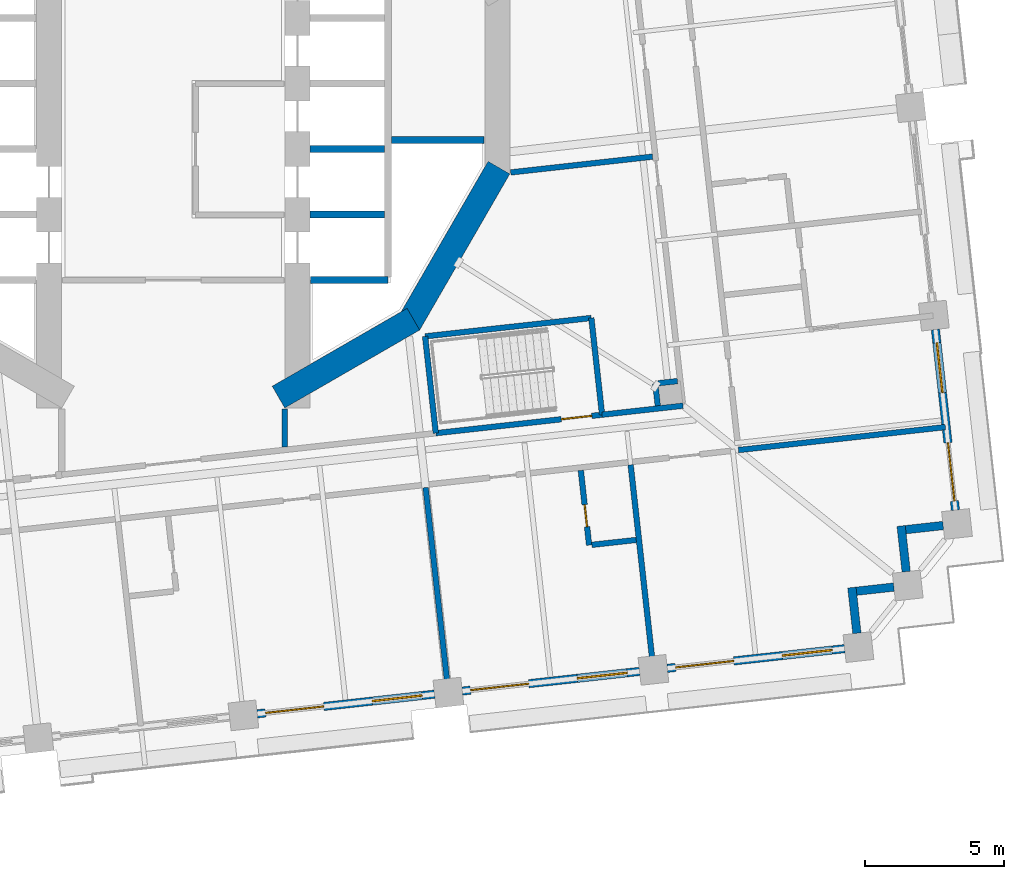
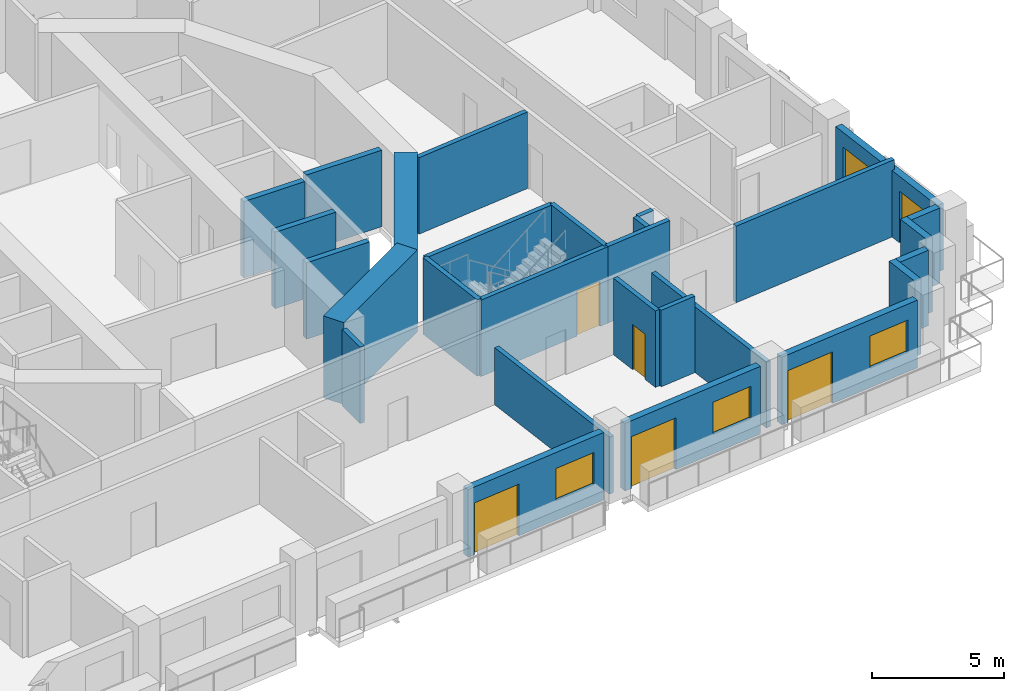
# One storey, part 9 of 21: 28 walls, 6 doors, 4 windows, 10 openings.
"""IFC4 building model written with IfcOpenShell, lengths in metres."""

from ifc_helpers import new_model, si_unit, direction, frame, frame_2d, origin, place, context, subcontext, project, spatial, rectangle, extrude, material, layer, layer_set, type_object, element, fill, save


model = new_model("IFC4")

# Units and contexts
model_context = context("Model", 3, precision=1e-05, world=origin(), true_north=direction((0.0, 1.0)))
body_context = subcontext(model_context, "Body", "Model", "MODEL_VIEW")
ifc_project = project(units=[si_unit("LENGTHUNIT", "METRE"), si_unit("AREAUNIT", "SQUARE_METRE"), si_unit("VOLUMEUNIT", "CUBIC_METRE"), si_unit("PLANEANGLEUNIT", "RADIAN"), si_unit("MASSUNIT", "GRAM", prefix="KILO")], contexts=[model_context])

# Site, building, storey
site_placement = place(None, origin())
site = spatial("IfcSite", under=ifc_project, at=site_placement, CompositionType="ELEMENT")
building_placement = place(site_placement, origin())
building = spatial("IfcBuilding", under=site, at=building_placement, Name="Cantera Rosa Tower", CompositionType="ELEMENT")
storey_placement = place(building_placement, frame((0.0, 0.0, 69.10009765625)))
storey = spatial("IfcBuildingStorey", under=building, at=storey_placement, Name="L14", CompositionType="ELEMENT", Elevation=69.10009765625)

# Walls
ifc_material_1 = material(Name="Gypsum board partition")
ifc_layer_1 = layer(ifc_material_1, 0.199951171875)
ifc_layer_set_1 = layer_set([ifc_layer_1], Name="CORRIDOR WALL 200 H3550")
wall_type_1 = type_object("IfcWallType", Name="CORRIDOR WALL 200 H3550", PredefinedType="PARTITIONING", material=ifc_layer_set_1)
wall_1_placement = place(storey_placement, frame((4.0, -13.038818359375, 0.0), z_axis=(0.0, 0.0, 1.0), x_axis=(0.0, 1.0, 0.0)))
element("IfcWall", 1, at=wall_1_placement, inside=storey, type_object=wall_type_1, Name="CORRIDOR WALL L14-061", PredefinedType="PARTITIONING", context=body_context, shape_type="SweptSolid", body=[
    extrude(rectangle(XDim=1.37158203125, YDim=0.199951171875, at=frame_2d((0.685791015625, 0.0))), origin(), (0.0, 0.0, 1.0), 3.5498046875),
])
wall_2_placement = place(storey_placement, frame((15.382080078125, -11.87548828125, 0.0), z_axis=(0.0, 0.0, 1.0), x_axis=(0.993899009794, 0.110293963256, 0.0)))
element("IfcWall", 2, at=wall_2_placement, inside=storey, type_object=wall_type_1, Name="CORRIDOR WALL L14-087", PredefinedType="PARTITIONING", context=body_context, shape_type="SweptSolid", body=[
    extrude(rectangle(XDim=2.921875, YDim=0.199951171875, at=frame_2d((1.4609375, 0.0))), origin(), (0.0, 0.0, 1.0), 3.5498046875),
])
ifc_material_2 = material(Name="Hollow clay masonry with cantera stone cladding", Category="masonry")
ifc_layer_2 = layer(ifc_material_2, 0.300048828125)
ifc_layer_set_2 = layer_set([ifc_layer_2], Name="EW-LOGGIA 300")
wall_type_2 = type_object("IfcWallType", Name="EW-LOGGIA 300", PredefinedType="SOLIDWALL", material=ifc_layer_set_2)
wall_3_placement = place(storey_placement, frame((24.5244140625, -19.71484375, 0.0), z_axis=(0.0, 0.0, 1.0), x_axis=(-0.110236638423, 0.993905369514, 0.0)))
element("IfcWall", 3, at=wall_3_placement, inside=storey, type_object=wall_type_2, Name="EN-L14-W29a", PredefinedType="SOLIDWALL", context=body_context, shape_type="SweptSolid", body=[
    extrude(rectangle(XDim=1.64990234375, YDim=0.300048828125, at=frame_2d((0.824951171875, 0.0))), origin(), (0.0, 0.0, 1.0), 3.5),
])
wall_4_placement = place(storey_placement, frame((24.508056640625, -18.20751953125, 0.0), z_axis=(0.0, 0.0, 1.0), x_axis=(0.993896959738, 0.110312435488, 0.0)))
element("IfcWall", 4, at=wall_4_placement, inside=storey, type_object=wall_type_2, Name="EN-L14-W29b", PredefinedType="SOLIDWALL", context=body_context, shape_type="SweptSolid", body=[
    extrude(rectangle(XDim=1.35009765625, YDim=0.300048828125, at=frame_2d((0.675048828125, 0.0))), origin(), (0.0, 0.0, 1.0), 3.5),
])
wall_5_placement = place(storey_placement, frame((26.291748046875, -17.506591796875, 0.0), z_axis=(0.0, 0.0, 1.0), x_axis=(-0.110382805355, 0.993889146878, 0.0)))
element("IfcWall", 5, at=wall_5_placement, inside=storey, type_object=wall_type_2, Name="EN-L14-W30a", PredefinedType="SOLIDWALL", context=body_context, shape_type="SweptSolid", body=[
    extrude(rectangle(XDim=1.64990234375, YDim=0.300048828125, at=frame_2d((0.824951171875, 0.0))), origin(), (0.0, 0.0, 1.0), 3.5),
])
wall_6_placement = place(storey_placement, frame((26.275146484375, -15.999267578125, 0.0), z_axis=(0.0, 0.0, 1.0), x_axis=(0.993896959738, 0.110312435488, 0.0)))
element("IfcWall", 6, at=wall_6_placement, inside=storey, type_object=wall_type_2, Name="EN-L14-W30b", PredefinedType="SOLIDWALL", context=body_context, shape_type="SweptSolid", body=[
    extrude(rectangle(XDim=1.35009765625, YDim=0.300048828125, at=frame_2d((0.675048828125, 0.0))), origin(), (0.0, 0.0, 1.0), 3.5),
])

# Wall, openings, window, door
ifc_material_3 = material(Name="Hollow clay masonry with cantera stone cladding", Category="masonry")
ifc_layer_3 = layer(ifc_material_3, 0.300048828125)
ifc_layer_set_3 = layer_set([ifc_layer_3], Name="EW-LOGGIA 300 H3090")
wall_type_3 = type_object("IfcWallType", Name="EW-LOGGIA 300 H3090", PredefinedType="SOLIDWALL", material=ifc_layer_set_3)
wall_7_placement = place(storey_placement, frame((28.058837890625, -15.298095703125, 0.0), z_axis=(0.0, 0.0, 1.0), x_axis=(-0.110312341265, 0.993896970196, 0.0)))
wall_7 = element("IfcWall", 7, at=wall_7_placement, inside=storey, type_object=wall_type_3, Name="EN-L14-W01", PredefinedType="SOLIDWALL", context=body_context, shape_type="SweptSolid", body=[
    extrude(rectangle(XDim=6.52001953125, YDim=0.300048828125, at=frame_2d((3.260009765625, 0.0))), origin(), (0.0, 0.0, 1.0), 3.08984375),
])
opening_1_placement = place(wall_7_placement, frame((0.330078125, 0.0, 0.0)))
opening_1 = element("IfcOpeningElement", 8, at=opening_1_placement, cuts=wall_7, Name="Opening L14-TD01", PredefinedType="OPENING", context=body_context, shape_type="SweptSolid", body=[
    extrude(rectangle(XDim=2.10009765625, YDim=2.39990234375, at=frame_2d((1.050048828125, 1.199951171875))), frame((0.0, 0.159912109375, 0.0), z_axis=(0.0, -1.0, 0.0), x_axis=(1.0, 0.0, 0.0)), (0.0, 0.0, 1.0), 0.320068359375),
])
opening_2_placement = place(wall_7_placement, frame((4.239990234375, 0.0, 0.89990234375)))
opening_2 = element("IfcOpeningElement", 9, at=opening_2_placement, cuts=wall_7, Name="Opening L14-W02", PredefinedType="OPENING", context=body_context, shape_type="SweptSolid", body=[
    extrude(rectangle(XDim=1.800048828125, YDim=1.5, at=frame_2d((0.89990234375, 0.75))), frame((0.0, 0.159912109375, 0.0), z_axis=(0.0, -1.0, 0.0), x_axis=(1.0, 0.0, 0.0)), (0.0, 0.0, 1.0), 0.320068359375),
])
ifc_material_4 = material(Name="Aluminium frame with clear glass", Category="aluminium")
window_type = type_object("IfcWindowType", Name="Hotel room window 1800x1500", PartitioningType="DOUBLE_PANEL_VERTICAL", PredefinedType="WINDOW", material=ifc_material_4)
window_1_placement = place(opening_2_placement, origin())
window_1 = element("IfcWindow", 10, at=window_1_placement, inside=storey, type_object=window_type, Name="WINDOW L14-W02", OverallHeight=1.5, OverallWidth=1.800048828125, PartitioningType="SINGLE_PANEL", PredefinedType="WINDOW", context=body_context, shape_type="SweptSolid", body=[
    extrude(rectangle(XDim=1.800048828125, YDim=1.5, at=frame_2d((0.89990234375, 0.75))), frame((0.0, 0.030029296875, 0.0), z_axis=(0.0, -1.0, 0.0), x_axis=(1.0, 0.0, 0.0)), (0.0, 0.0, 1.0), 0.06005859375),
])
fill(opening_2, window_1)
ifc_material_5 = material(Name="Aluminium frame with clear glass", Category="aluminium")
door_type_1 = type_object("IfcDoorType", Name="TD-H 2100x2400", OperationType="NOTDEFINED", PredefinedType="DOOR", material=ifc_material_5)
door_1_placement = place(opening_1_placement, origin())
door_1 = element("IfcDoor", 11, at=door_1_placement, inside=storey, type_object=door_type_1, Name="LOGGIA DOOR L14-TD01", OperationType="SLIDING_TO_LEFT", OverallHeight=2.39990234375, OverallWidth=2.10009765625, PredefinedType="DOOR", context=body_context, shape_type="SweptSolid", body=[
    extrude(rectangle(XDim=2.10009765625, YDim=2.39990234375, at=frame_2d((1.050048828125, 1.199951171875))), frame((0.0, 0.02490234375, 0.0), z_axis=(0.0, -1.0, 0.0), x_axis=(1.0, 0.0, 0.0)), (0.0, 0.0, 1.0), 0.050048828125),
])
fill(opening_1, door_1)

ifc_material_6 = material(Name="Hollow clay masonry with cantera stone cladding", Category="masonry")
ifc_layer_4 = layer(ifc_material_6, 0.300048828125)
ifc_layer_set_4 = layer_set([ifc_layer_4], Name="EW-LOGGIA 300 H3140")
wall_type_4 = type_object("IfcWallType", Name="EW-LOGGIA 300 H3140", PredefinedType="SOLIDWALL", material=ifc_layer_set_4)
wall_8_placement = place(storey_placement, frame((3.011962890625, -22.605712890625, 0.0), z_axis=(0.0, 0.0, 1.0), x_axis=(0.993896288542, 0.110318482689, 0.0)))
wall_8 = element("IfcWall", 12, at=wall_8_placement, inside=storey, type_object=wall_type_4, Name="EN-L14-W26", PredefinedType="SOLIDWALL", context=body_context, shape_type="SweptSolid", body=[
    extrude(rectangle(XDim=6.400146484375, YDim=0.300048828125, at=frame_2d((3.2001953125, 0.0))), origin(), (0.0, 0.0, 1.0), 3.139892578125),
])
opening_3_placement = place(wall_8_placement, frame((0.300048828125, 0.0, 0.0)))
opening_3 = element("IfcOpeningElement", 13, at=opening_3_placement, cuts=wall_8, Name="Opening L14-TD35", PredefinedType="OPENING", context=body_context, shape_type="SweptSolid", body=[
    extrude(rectangle(XDim=2.10009765625, YDim=2.39990234375, at=frame_2d((1.050048828125, 1.199951171875))), frame((0.0, 0.159912109375, 0.0), z_axis=(0.0, -1.0, 0.0), x_axis=(1.0, 0.0, 0.0)), (0.0, 0.0, 1.0), 0.320068359375),
])
opening_4_placement = place(wall_8_placement, frame((4.14990234375, 0.0, 0.89990234375)))
opening_4 = element("IfcOpeningElement", 14, at=opening_4_placement, cuts=wall_8, Name="Opening L14-W36", PredefinedType="OPENING", context=body_context, shape_type="SweptSolid", body=[
    extrude(rectangle(XDim=1.800048828125, YDim=1.5, at=frame_2d((0.89990234375, 0.75))), frame((0.0, 0.159912109375, 0.0), z_axis=(0.0, -1.0, 0.0), x_axis=(1.0, 0.0, 0.0)), (0.0, 0.0, 1.0), 0.320068359375),
])
window_2_placement = place(opening_4_placement, origin())
window_2 = element("IfcWindow", 15, at=window_2_placement, inside=storey, type_object=window_type, Name="WINDOW L14-W36", OverallHeight=1.5, OverallWidth=1.800048828125, PartitioningType="SINGLE_PANEL", PredefinedType="WINDOW", context=body_context, shape_type="SweptSolid", body=[
    extrude(rectangle(XDim=1.800048828125, YDim=1.5, at=frame_2d((0.89990234375, 0.75))), frame((0.0, 0.030029296875, 0.0), z_axis=(0.0, -1.0, 0.0), x_axis=(1.0, 0.0, 0.0)), (0.0, 0.0, 1.0), 0.06005859375),
])
fill(opening_4, window_2)
door_2_placement = place(opening_3_placement, origin())
door_2 = element("IfcDoor", 16, at=door_2_placement, inside=storey, type_object=door_type_1, Name="LOGGIA DOOR L14-TD35", OperationType="SLIDING_TO_LEFT", OverallHeight=2.39990234375, OverallWidth=2.10009765625, PredefinedType="DOOR", context=body_context, shape_type="SweptSolid", body=[
    extrude(rectangle(XDim=2.10009765625, YDim=2.39990234375, at=frame_2d((1.050048828125, 1.199951171875))), frame((0.0, 0.02490234375, 0.0), z_axis=(0.0, -1.0, 0.0), x_axis=(1.0, 0.0, 0.0)), (0.0, 0.0, 1.0), 0.050048828125),
])
fill(opening_3, door_2)

wall_9_placement = place(storey_placement, frame((10.366943359375, -21.789306640625, 0.0), z_axis=(0.0, 0.0, 1.0), x_axis=(0.993900006422, 0.110284981906, 0.0)))
wall_9 = element("IfcWall", 17, at=wall_9_placement, inside=storey, type_object=wall_type_4, Name="EN-L14-W27", PredefinedType="SOLIDWALL", context=body_context, shape_type="SweptSolid", body=[
    extrude(rectangle(XDim=6.39990234375, YDim=0.300048828125, at=frame_2d((3.199951171875, 0.0))), origin(), (0.0, 0.0, 1.0), 3.139892578125),
])
opening_5_placement = place(wall_9_placement, frame((0.300048828125, 0.0, 0.0)))
opening_5 = element("IfcOpeningElement", 18, at=opening_5_placement, cuts=wall_9, Name="Opening L14-TD37", PredefinedType="OPENING", context=body_context, shape_type="SweptSolid", body=[
    extrude(rectangle(XDim=2.10009765625, YDim=2.39990234375, at=frame_2d((1.050048828125, 1.199951171875))), frame((0.0, 0.159912109375, 0.0), z_axis=(0.0, -1.0, 0.0), x_axis=(1.0, 0.0, 0.0)), (0.0, 0.0, 1.0), 0.320068359375),
])
opening_6_placement = place(wall_9_placement, frame((4.14990234375, 0.0, 0.89990234375)))
opening_6 = element("IfcOpeningElement", 19, at=opening_6_placement, cuts=wall_9, Name="Opening L14-W38", PredefinedType="OPENING", context=body_context, shape_type="SweptSolid", body=[
    extrude(rectangle(XDim=1.800048828125, YDim=1.5, at=frame_2d((0.89990234375, 0.75))), frame((0.0, 0.159912109375, 0.0), z_axis=(0.0, -1.0, 0.0), x_axis=(1.0, 0.0, 0.0)), (0.0, 0.0, 1.0), 0.320068359375),
])
window_3_placement = place(opening_6_placement, origin())
window_3 = element("IfcWindow", 20, at=window_3_placement, inside=storey, type_object=window_type, Name="WINDOW L14-W38", OverallHeight=1.5, OverallWidth=1.800048828125, PartitioningType="SINGLE_PANEL", PredefinedType="WINDOW", context=body_context, shape_type="SweptSolid", body=[
    extrude(rectangle(XDim=1.800048828125, YDim=1.5, at=frame_2d((0.89990234375, 0.75))), frame((0.0, 0.030029296875, 0.0), z_axis=(0.0, -1.0, 0.0), x_axis=(1.0, 0.0, 0.0)), (0.0, 0.0, 1.0), 0.06005859375),
])
fill(opening_6, window_3)
door_3_placement = place(opening_5_placement, origin())
door_3 = element("IfcDoor", 21, at=door_3_placement, inside=storey, type_object=door_type_1, Name="LOGGIA DOOR L14-TD37", OperationType="SLIDING_TO_LEFT", OverallHeight=2.39990234375, OverallWidth=2.10009765625, PredefinedType="DOOR", context=body_context, shape_type="SweptSolid", body=[
    extrude(rectangle(XDim=2.10009765625, YDim=2.39990234375, at=frame_2d((1.050048828125, 1.199951171875))), frame((0.0, 0.02490234375, 0.0), z_axis=(0.0, -1.0, 0.0), x_axis=(1.0, 0.0, 0.0)), (0.0, 0.0, 1.0), 0.050048828125),
])
fill(opening_5, door_3)

wall_10_placement = place(storey_placement, frame((17.7216796875, -20.97314453125, 0.0), z_axis=(0.0, 0.0, 1.0), x_axis=(0.993896288542, 0.110318482689, 0.0)))
wall_10 = element("IfcWall", 22, at=wall_10_placement, inside=storey, type_object=wall_type_4, Name="EN-L14-W28", PredefinedType="SOLIDWALL", context=body_context, shape_type="SweptSolid", body=[
    extrude(rectangle(XDim=6.400146484375, YDim=0.300048828125, at=frame_2d((3.2001953125, 0.0))), origin(), (0.0, 0.0, 1.0), 3.139892578125),
])
opening_7_placement = place(wall_10_placement, frame((0.300048828125, 0.0, 0.0)))
opening_7 = element("IfcOpeningElement", 23, at=opening_7_placement, cuts=wall_10, Name="Opening L14-TD39", PredefinedType="OPENING", context=body_context, shape_type="SweptSolid", body=[
    extrude(rectangle(XDim=2.10009765625, YDim=2.39990234375, at=frame_2d((1.050048828125, 1.199951171875))), frame((0.0, 0.159912109375, 0.0), z_axis=(0.0, -1.0, 0.0), x_axis=(1.0, 0.0, 0.0)), (0.0, 0.0, 1.0), 0.320068359375),
])
opening_8_placement = place(wall_10_placement, frame((4.14990234375, 0.0, 0.89990234375)))
opening_8 = element("IfcOpeningElement", 24, at=opening_8_placement, cuts=wall_10, Name="Opening L14-W40", PredefinedType="OPENING", context=body_context, shape_type="SweptSolid", body=[
    extrude(rectangle(XDim=1.800048828125, YDim=1.5, at=frame_2d((0.89990234375, 0.75))), frame((0.0, 0.159912109375, 0.0), z_axis=(0.0, -1.0, 0.0), x_axis=(1.0, 0.0, 0.0)), (0.0, 0.0, 1.0), 0.320068359375),
])
window_4_placement = place(opening_8_placement, origin())
window_4 = element("IfcWindow", 25, at=window_4_placement, inside=storey, type_object=window_type, Name="WINDOW L14-W40", OverallHeight=1.5, OverallWidth=1.800048828125, PartitioningType="SINGLE_PANEL", PredefinedType="WINDOW", context=body_context, shape_type="SweptSolid", body=[
    extrude(rectangle(XDim=1.800048828125, YDim=1.5, at=frame_2d((0.89990234375, 0.75))), frame((0.0, 0.030029296875, 0.0), z_axis=(0.0, -1.0, 0.0), x_axis=(1.0, 0.0, 0.0)), (0.0, 0.0, 1.0), 0.06005859375),
])
fill(opening_8, window_4)
door_4_placement = place(opening_7_placement, origin())
door_4 = element("IfcDoor", 26, at=door_4_placement, inside=storey, type_object=door_type_1, Name="LOGGIA DOOR L14-TD39", OperationType="SLIDING_TO_LEFT", OverallHeight=2.39990234375, OverallWidth=2.10009765625, PredefinedType="DOOR", context=body_context, shape_type="SweptSolid", body=[
    extrude(rectangle(XDim=2.10009765625, YDim=2.39990234375, at=frame_2d((1.050048828125, 1.199951171875))), frame((0.0, 0.02490234375, 0.0), z_axis=(0.0, -1.0, 0.0), x_axis=(1.0, 0.0, 0.0)), (0.0, 0.0, 1.0), 0.050048828125),
])
fill(opening_7, door_4)

# Wall, opening, door
ifc_material_7 = material(Name="Gypsum board partition")
ifc_layer_5 = layer(ifc_material_7, 0.199951171875)
ifc_layer_set_5 = layer_set([ifc_layer_5], Name="PARTITION 200 H3550")
wall_type_5 = type_object("IfcWallType", Name="PARTITION 200 H3550", PredefinedType="PARTITIONING", material=ifc_layer_set_5)
wall_11_placement = place(storey_placement, frame((14.917236328125, -16.555419921875, 0.0), z_axis=(0.0, 0.0, 1.0), x_axis=(-0.110312435488, 0.993896959738, 0.0)))
wall_11 = element("IfcWall", 27, at=wall_11_placement, inside=storey, type_object=wall_type_5, Name="PARTITION L14-083", PredefinedType="PARTITIONING", context=body_context, shape_type="SweptSolid", body=[
    extrude(rectangle(XDim=2.699951171875, YDim=0.199951171875, at=frame_2d((1.35009765625, 0.0))), origin(), (0.0, 0.0, 1.0), 3.5498046875),
])
opening_9_placement = place(wall_11_placement, frame((0.6640625, 0.0, 0.0)))
opening_9 = element("IfcOpeningElement", 28, at=opening_9_placement, cuts=wall_11, Name="Opening L14-041", PredefinedType="OPENING", context=body_context, shape_type="SweptSolid", body=[
    extrude(rectangle(XDim=0.800048828125, YDim=2.10009765625, at=frame_2d((0.39990234375, 1.050048828125))), frame((0.0, 0.10986328125, 0.0), z_axis=(0.0, -1.0, 0.0), x_axis=(1.0, 0.0, 0.0)), (0.0, 0.0, 1.0), 0.219970703125),
])
ifc_material_8 = material(Name="Timber door leaf", Category="wood")
door_type_2 = type_object("IfcDoorType", Name="BATHROOM DOOR 800x2100", OperationType="NOTDEFINED", PredefinedType="DOOR", material=ifc_material_8)
door_5_placement = place(opening_9_placement, origin())
door_5 = element("IfcDoor", 29, at=door_5_placement, inside=storey, type_object=door_type_2, Name="DOOR L14-041", OperationType="NOTDEFINED", OverallHeight=2.10009765625, OverallWidth=0.800048828125, PredefinedType="DOOR", context=body_context, shape_type="SweptSolid", body=[
    extrude(rectangle(XDim=0.800048828125, YDim=2.10009765625, at=frame_2d((0.39990234375, 1.050048828125))), frame((0.0, 0.02490234375, 0.0), z_axis=(0.0, -1.0, 0.0), x_axis=(1.0, 0.0, 0.0)), (0.0, 0.0, 1.0), 0.050048828125),
])
fill(opening_9, door_5)

# Walls
wall_12_placement = place(storey_placement, frame((16.60693359375, -16.367919921875, 0.0), z_axis=(0.0, 0.0, 1.0), x_axis=(-0.99389675276, -0.110314300314, 0.0)))
element("IfcWall", 30, at=wall_12_placement, inside=storey, type_object=wall_type_5, Name="PARTITION L14-092", PredefinedType="PARTITIONING", context=body_context, shape_type="SweptSolid", body=[
    extrude(rectangle(XDim=1.60009765625, YDim=0.199951171875, at=frame_2d((0.800048828125, 0.0))), origin(), (0.0, 0.0, 1.0), 3.5498046875),
])
wall_13_placement = place(storey_placement, frame((17.292236328125, -10.758056640625, 0.0), z_axis=(0.0, 0.0, 1.0), x_axis=(0.110465018303, -0.993880012744, 0.0)))
element("IfcWall", 31, at=wall_13_placement, inside=storey, type_object=wall_type_5, Name="PARTITION L14-095", PredefinedType="PARTITIONING", context=body_context, shape_type="SweptSolid", body=[
    extrude(rectangle(XDim=0.800048828125, YDim=0.199951171875, at=frame_2d((0.39990234375, 0.0))), origin(), (0.0, 0.0, 1.0), 3.5498046875),
])
wall_14_placement = place(storey_placement, frame((17.19384765625, -2.619384765625, 0.0), z_axis=(0.0, 0.0, 1.0), x_axis=(-0.993901744429, -0.110269317674, 0.0)))
element("IfcWall", 32, at=wall_14_placement, inside=storey, type_object=wall_type_5, Name="PARTITION L14-096", PredefinedType="PARTITIONING", context=body_context, shape_type="SweptSolid", body=[
    extrude(rectangle(XDim=5.12109375, YDim=0.199951171875, at=frame_2d((2.560546875, 0.0))), origin(), (0.0, 0.0, 1.0), 3.5498046875),
])
wall_15_placement = place(storey_placement, frame((18.08740234375, -10.669921875, 0.0), z_axis=(0.0, 0.0, 1.0), x_axis=(-0.993909225707, -0.110201865026, 0.0)))
element("IfcWall", 33, at=wall_15_placement, inside=storey, type_object=wall_type_5, Name="PARTITION L14-098", PredefinedType="PARTITIONING", context=body_context, shape_type="SweptSolid", body=[
    extrude(rectangle(XDim=0.699951171875, YDim=0.199951171875, at=frame_2d((0.35009765625, 0.0))), origin(), (0.0, 0.0, 1.0), 3.5498046875),
])
ifc_material_9 = material(Name="Gypsum board partition")
ifc_layer_6 = layer(ifc_material_9, 0.199951171875)
ifc_layer_set_6 = layer_set([ifc_layer_6], Name="PARTY WALL 200 H2650")
wall_type_6 = type_object("IfcWallType", Name="PARTY WALL 200 H2650", PredefinedType="PARTITIONING", material=ifc_layer_set_6)
wall_16_placement = place(storey_placement, frame((9.0537109375, -14.48974609375, 0.0), z_axis=(0.0, 0.0, 1.0), x_axis=(0.11031154238, -0.993897058864, 0.0)))
element("IfcWall", 34, at=wall_16_placement, inside=storey, type_object=wall_type_6, Name="PARTY WALL L14-073", PredefinedType="PARTITIONING", context=body_context, shape_type="SweptSolid", body=[
    extrude(rectangle(XDim=7.369873046875, YDim=0.199951171875, at=frame_2d((3.68505859375, 0.0))), origin(), (0.0, 0.0, 1.0), 2.64990234375),
])
ifc_material_10 = material(Name="Gypsum board partition")
ifc_layer_7 = layer(ifc_material_10, 0.199951171875)
ifc_layer_set_7 = layer_set([ifc_layer_7], Name="PARTY WALL 200 H3050")
wall_type_7 = type_object("IfcWallType", Name="PARTY WALL 200 H3050", PredefinedType="PARTITIONING", material=ifc_layer_set_7)
wall_17_placement = place(storey_placement, frame((16.408447265625, -13.67333984375, 0.0), z_axis=(0.0, 0.0, 1.0), x_axis=(0.11031154238, -0.993897058864, 0.0)))
element("IfcWall", 35, at=wall_17_placement, inside=storey, type_object=wall_type_7, Name="PARTY WALL L14-091", PredefinedType="PARTITIONING", context=body_context, shape_type="SweptSolid", body=[
    extrude(rectangle(XDim=7.369873046875, YDim=0.199951171875, at=frame_2d((3.68505859375, 0.0))), origin(), (0.0, 0.0, 1.0), 3.0498046875),
])
ifc_material_11 = material(Name="Gypsum board partition")
ifc_layer_8 = layer(ifc_material_11, 0.199951171875)
ifc_layer_set_8 = layer_set([ifc_layer_8], Name="PARTY WALL 200 H3550")
wall_type_8 = type_object("IfcWallType", Name="PARTY WALL 200 H3550", PredefinedType="PARTITIONING", material=ifc_layer_set_8)
wall_18_placement = place(storey_placement, frame((27.697998046875, -12.319580078125, 0.0), z_axis=(0.0, 0.0, 1.0), x_axis=(-0.993894093242, -0.110338259085, 0.0)))
element("IfcWall", 36, at=wall_18_placement, inside=storey, type_object=wall_type_8, Name="PARTY WALL L14-109", PredefinedType="PARTITIONING", context=body_context, shape_type="SweptSolid", body=[
    extrude(rectangle(XDim=7.469970703125, YDim=0.199951171875, at=frame_2d((3.73486328125, 0.0))), origin(), (0.0, 0.0, 1.0), 3.5498046875),
])
ifc_material_12 = material(Name="Concrete C70/85", Category="concrete")
ifc_layer_9 = layer(ifc_material_12, 0.89990234375)
ifc_layer_set_9 = layer_set([ifc_layer_9], Name="RC CORE WALL 900 C70/85")
wall_type_9 = type_object("IfcWallType", Name="RC CORE WALL 900 C70/85", PredefinedType="SHEAR", material=ifc_layer_set_9)
wall_19_placement = place(storey_placement, frame((11.684326171875, -3.01025390625, 0.0), z_axis=(0.0, 0.0, 1.0), x_axis=(-0.499990282633, -0.866031014036, 0.0)))
element("IfcWall", 37, at=wall_19_placement, inside=storey, type_object=wall_type_9, Name="CW-E4 L14", PredefinedType="SHEAR", context=body_context, shape_type="SweptSolid", body=[
    extrude(rectangle(XDim=6.470458984375, YDim=0.89990234375, at=frame_2d((3.2353515625, 0.0))), origin(), (0.0, 0.0, 1.0), 3.7998046875),
])
wall_20_placement = place(storey_placement, frame((8.61376953125, -8.44921875, 0.0), z_axis=(0.0, 0.0, 1.0), x_axis=(-0.866026961591, -0.49999730179, 0.0)))
element("IfcWall", 38, at=wall_20_placement, inside=storey, type_object=wall_type_9, Name="CW-E5 L14", PredefinedType="SHEAR", context=body_context, shape_type="SweptSolid", body=[
    extrude(rectangle(XDim=5.58740234375, YDim=0.89990234375, at=frame_2d((2.793701171875, 0.0))), origin(), (0.0, 0.0, 1.0), 3.7998046875),
])
ifc_material_13 = material(Name="Masonry blockwork", Category="masonry")
ifc_layer_10 = layer(ifc_material_13, 0.25)
ifc_layer_set_10 = layer_set([ifc_layer_10], Name="SHAFT WALL 250 H3550")
wall_type_10 = type_object("IfcWallType", Name="SHAFT WALL 250 H3550", PredefinedType="SOLIDWALL", material=ifc_layer_set_10)
wall_21_placement = place(storey_placement, frame((4.89990234375, -4.699951171875, 0.0), z_axis=(0.0, 0.0, 1.0), x_axis=(1.0, 0.0, 0.0)))
element("IfcWall", 39, at=wall_21_placement, inside=storey, type_object=wall_type_10, Name="SHAFT WALL L14-063", PredefinedType="SOLIDWALL", context=body_context, shape_type="SweptSolid", body=[
    extrude(rectangle(XDim=2.675048828125, YDim=0.25, at=frame_2d((1.33740234375, 0.0))), origin(), (0.0, 0.0, 1.0), 3.5498046875),
])
wall_22_placement = place(storey_placement, frame((4.929931640625, -7.050048828125, 0.0), z_axis=(0.0, 0.0, 1.0), x_axis=(1.0, 0.0, 0.0)))
element("IfcWall", 40, at=wall_22_placement, inside=storey, type_object=wall_type_10, Name="SHAFT WALL L14-065", PredefinedType="SOLIDWALL", context=body_context, shape_type="SweptSolid", body=[
    extrude(rectangle(XDim=2.77001953125, YDim=0.25, at=frame_2d((1.385009765625, 0.0))), origin(), (0.0, 0.0, 1.0), 3.5498046875),
])
wall_23_placement = place(storey_placement, frame((7.574951171875, -2.35009765625, 0.0), z_axis=(0.0, 0.0, 1.0), x_axis=(-1.0, 0.0, 0.0)))
element("IfcWall", 41, at=wall_23_placement, inside=storey, type_object=wall_type_10, Name="SHAFT WALL L14-067", PredefinedType="SOLIDWALL", context=body_context, shape_type="SweptSolid", body=[
    extrude(rectangle(XDim=2.675048828125, YDim=0.25, at=frame_2d((1.33740234375, 0.0))), origin(), (0.0, 0.0, 1.0), 3.5498046875),
])
wall_24_placement = place(storey_placement, frame((7.824951171875, -2.0146484375, 0.0), z_axis=(0.0, 0.0, 1.0), x_axis=(1.0, 0.0, 0.0)))
element("IfcWall", 42, at=wall_24_placement, inside=storey, type_object=wall_type_10, Name="SHAFT WALL L14-068", PredefinedType="SOLIDWALL", context=body_context, shape_type="SweptSolid", body=[
    extrude(rectangle(XDim=3.319091796875, YDim=0.25, at=frame_2d((1.65966796875, 0.0))), origin(), (0.0, 0.0, 1.0), 3.5498046875),
])
ifc_material_14 = material(Name="Concrete C50/60", Category="concrete")
ifc_layer_11 = layer(ifc_material_14, 0.199951171875)
ifc_layer_set_11 = layer_set([ifc_layer_11], Name="STAIR WALL 200 H3550")
wall_type_11 = type_object("IfcWallType", Name="STAIR WALL 200 H3550", PredefinedType="SOLIDWALL", material=ifc_layer_set_11)
wall_25_placement = place(storey_placement, frame((9.033447265625, -9.066162109375, 0.0), z_axis=(0.0, 0.0, 1.0), x_axis=(0.11030110325, -0.993898217436, 0.0)))
element("IfcWall", 43, at=wall_25_placement, inside=storey, type_object=wall_type_11, Name="STAIR WALL L14-072", PredefinedType="SOLIDWALL", context=body_context, shape_type="SweptSolid", body=[
    extrude(rectangle(XDim=3.49267578125, YDim=0.199951171875, at=frame_2d((1.746337890625, 0.0))), origin(), (0.0, 0.0, 1.0), 3.5498046875),
])

# Wall, opening, door
wall_26_placement = place(storey_placement, frame((9.418701171875, -12.53759765625, 0.0), z_axis=(0.0, 0.0, 1.0), x_axis=(0.993892663362, 0.110351138256, 0.0)))
wall_26 = element("IfcWall", 44, at=wall_26_placement, inside=storey, type_object=wall_type_11, Name="STAIR WALL L14-074", PredefinedType="SOLIDWALL", context=body_context, shape_type="SweptSolid", body=[
    extrude(rectangle(XDim=6.0, YDim=0.199951171875, at=frame_2d((3.0, 0.0))), origin(), (0.0, 0.0, 1.0), 3.5498046875),
])
opening_10_placement = place(wall_26_placement, frame((4.52490234375, 0.0, 0.0)))
opening_10 = element("IfcOpeningElement", 45, at=opening_10_placement, cuts=wall_26, Name="Opening L14-004", PredefinedType="OPENING", context=body_context, shape_type="SweptSolid", body=[
    extrude(rectangle(XDim=1.10009765625, YDim=2.10009765625, at=frame_2d((0.550048828125, 1.050048828125))), frame((0.0, 0.10986328125, 0.0), z_axis=(0.0, -1.0, 0.0), x_axis=(1.0, 0.0, 0.0)), (0.0, 0.0, 1.0), 0.219970703125),
])
ifc_material_15 = material(Name="Steel S355J2 (EN 10025-2)", Category="steel")
door_type_3 = type_object("IfcDoorType", Name="STAIR DOOR 1100x2100", OperationType="NOTDEFINED", PredefinedType="DOOR", material=ifc_material_15)
door_6_placement = place(opening_10_placement, origin())
door_6 = element("IfcDoor", 46, at=door_6_placement, inside=storey, type_object=door_type_3, Name="DOOR L14-004", OperationType="NOTDEFINED", OverallHeight=2.10009765625, OverallWidth=1.10009765625, PredefinedType="DOOR", context=body_context, shape_type="SweptSolid", body=[
    extrude(rectangle(XDim=1.10009765625, YDim=2.10009765625, at=frame_2d((0.550048828125, 1.050048828125))), frame((0.0, 0.02490234375, 0.0), z_axis=(0.0, -1.0, 0.0), x_axis=(1.0, 0.0, 0.0)), (0.0, 0.0, 1.0), 0.050048828125),
])
fill(opening_10, door_6)

# Walls
wall_27_placement = place(storey_placement, frame((14.996826171875, -8.404296875, 0.0), z_axis=(0.0, 0.0, 1.0), x_axis=(-0.993897125329, -0.110310943534, 0.0)))
element("IfcWall", 47, at=wall_27_placement, inside=storey, type_object=wall_type_11, Name="STAIR WALL L14-084", PredefinedType="SOLIDWALL", context=body_context, shape_type="SweptSolid", body=[
    extrude(rectangle(XDim=6.0, YDim=0.199951171875, at=frame_2d((3.0, 0.0))), origin(), (0.0, 0.0, 1.0), 3.5498046875),
])
wall_28_placement = place(storey_placement, frame((15.382080078125, -11.87548828125, 0.0), z_axis=(0.0, 0.0, 1.0), x_axis=(-0.110308766705, 0.993897366929, 0.0)))
element("IfcWall", 48, at=wall_28_placement, inside=storey, type_object=wall_type_11, Name="STAIR WALL L14-086", PredefinedType="SOLIDWALL", context=body_context, shape_type="SweptSolid", body=[
    extrude(rectangle(XDim=3.492431640625, YDim=0.199951171875, at=frame_2d((1.74609375, 0.0))), origin(), (0.0, 0.0, 1.0), 3.5498046875),
])

save(model, "model.ifc")
